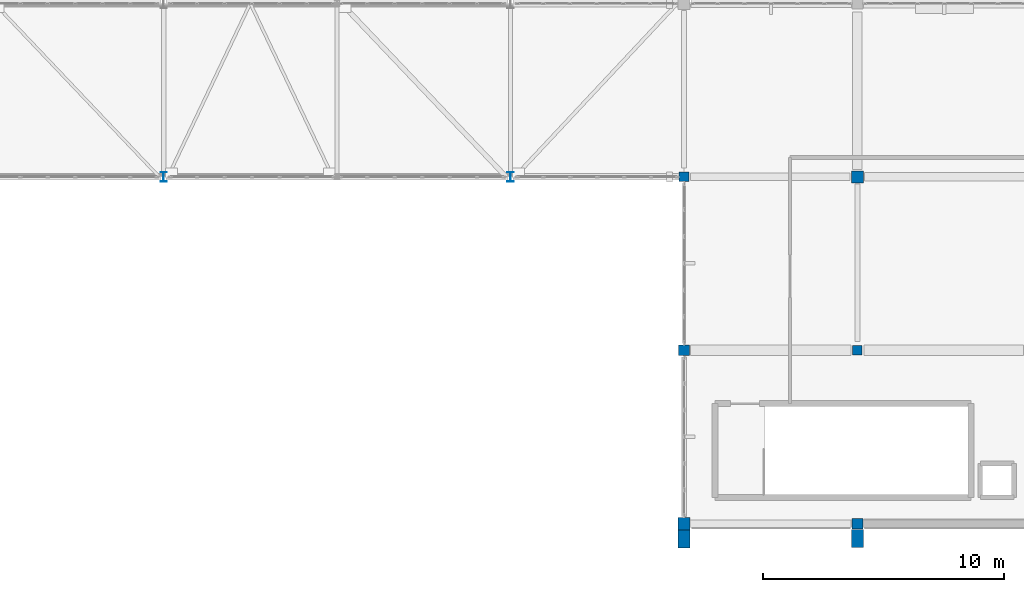
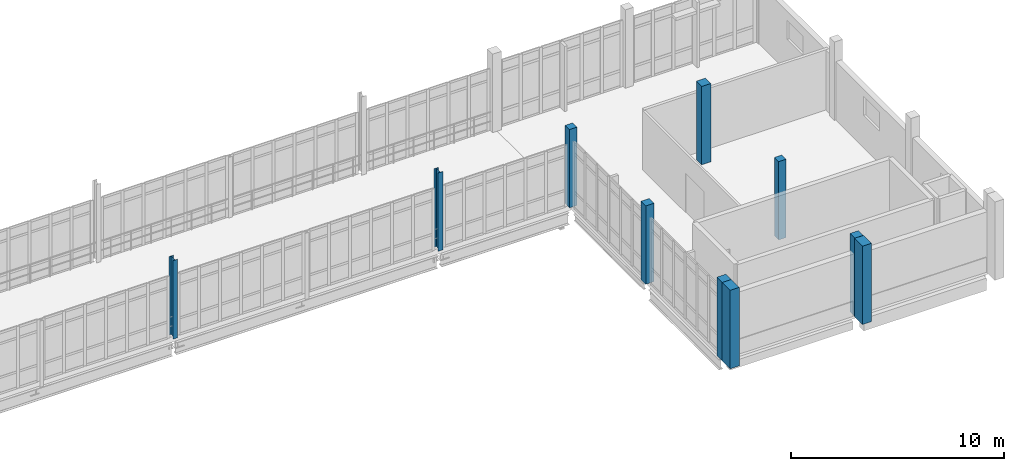
# One storey, part 4 of 116: 10 columns.
"""IFC4 building model written with IfcOpenShell, lengths in metres."""

import ifcopenshell
import ifcopenshell.guid

model = None  # the IFC model being written
_history = None  # IfcOwnerHistory: only IFC2X3 demands one
_inside = {}  # id of a spatial element -> (the spatial element, [elements in it])
_under = {}  # id of a project, library or spatial element -> (it, [spatial elements below it])
_declared = {}  # id of a project -> (the project, [libraries it declares])
_typed = {}  # id of a type object -> (the type object, [elements of that type])
_made_of = {}  # id of a material, layer set ... -> (it, [elements and type objects made of it])


def new_model(schema):
    """Start an empty IFC model of exactly this schema.

    Asked for "IFC4X3", IfcOpenShell would pick the latest addendum, in which some entities
    have other attributes; the version numbers below select the first issue.
    IFC2X3 requires an IfcOwnerHistory on every rooted entity: one is made here for all.
    """
    global model, _history
    if schema == "IFC4X3":
        model = ifcopenshell.file(schema_version=(4, 3, 0, 0))
    else:
        model = ifcopenshell.file(schema=schema)
    _inside.clear()
    _under.clear()
    _declared.clear()
    _typed.clear()
    _made_of.clear()
    _history = None
    if model.schema == "IFC2X3":
        org = make("IfcOrganization", Name="unknown")
        user = make(
            "IfcPersonAndOrganization",
            ThePerson=make("IfcPerson", FamilyName="unknown"),
            TheOrganization=org,
        )
        app = make(
            "IfcApplication",
            ApplicationDeveloper=org,
            Version="unknown",
            ApplicationFullName="unknown",
            ApplicationIdentifier="unknown",
        )
        _history = make(
            "IfcOwnerHistory",
            OwningUser=user,
            OwningApplication=app,
            ChangeAction="ADDED",
            CreationDate=0,
        )
    return model


def make(cls, **values):
    """One entity of the class cls with the attributes given. An attribute that is None is left unset."""
    return model.create_entity(
        cls, **{name: value for name, value in values.items() if value is not None}
    )


def rooted(cls, **values):
    """An entity with a GlobalId (a new one), such as an element, a storey or a relation."""
    return make(cls, GlobalId=ifcopenshell.guid.new(), OwnerHistory=_history, **values)


def si_unit(unit_type, name, prefix=None):
    """IfcSIUnit, for example si_unit("LENGTHUNIT", "METRE", prefix="MILLI")."""
    return make("IfcSIUnit", UnitType=unit_type, Prefix=prefix, Name=name)


def assignment(units):
    """IfcUnitAssignment: the units of a project."""
    return None if units is None else make("IfcUnitAssignment", Units=units)


def point(xyz):
    """IfcCartesianPoint."""
    return None if xyz is None else make("IfcCartesianPoint", Coordinates=xyz)


def direction(xyz):
    """IfcDirection."""
    return None if xyz is None else make("IfcDirection", DirectionRatios=xyz)


def frame(location, z_axis=None, x_axis=None):
    """IfcAxis2Placement3D, a coordinate frame: its origin and axes. An axis left out is left unset."""
    return make(
        "IfcAxis2Placement3D",
        Location=point(location),
        Axis=direction(z_axis),
        RefDirection=direction(x_axis),
    )


def frame_2d(location, x_axis=None):
    """IfcAxis2Placement2D, a coordinate frame in the plane: its origin and x axis."""
    return make(
        "IfcAxis2Placement2D", Location=point(location), RefDirection=direction(x_axis)
    )


def origin():
    """The frame at (0, 0, 0) with its axes left unset."""
    return frame((0.0, 0.0, 0.0))


def origin_2d():
    """The frame at (0, 0) in the plane with its x axis left unset."""
    return frame_2d((0.0, 0.0))


def place(relative_to, where):
    """IfcLocalPlacement: puts the frame where relative to a parent placement (None: the world)."""
    return make(
        "IfcLocalPlacement", PlacementRelTo=relative_to, RelativePlacement=where
    )


def context(
    kind, dimensions, precision=None, world=None, true_north=None, identifier=None
):
    """IfcGeometricRepresentationContext, for example the 3D "Model" context."""
    return make(
        "IfcGeometricRepresentationContext",
        ContextIdentifier=identifier,
        ContextType=kind,
        CoordinateSpaceDimension=dimensions,
        Precision=precision,
        WorldCoordinateSystem=world,
        TrueNorth=true_north,
    )


def subcontext(parent, identifier, kind, view, scale=None):
    """IfcGeometricRepresentationSubContext, for example "Body" below "Model"."""
    return make(
        "IfcGeometricRepresentationSubContext",
        ContextIdentifier=identifier,
        ContextType=kind,
        ParentContext=parent,
        TargetScale=scale,
        TargetView=view,
    )


def project(units=None, contexts=None):
    """IfcProject with its units and contexts."""
    return rooted(
        "IfcProject",
        Name="project",
        RepresentationContexts=contexts,
        UnitsInContext=assignment(units),
    )


def spatial(cls, under=None, at=None, **own):
    """A site, building, storey or space (cls), placed at a placement, below another one or the project."""
    s = rooted(cls, ObjectPlacement=at, **own)
    if under is not None:
        _under.setdefault(under.id(), (under, []))[1].append(s)
    return s


def profile(cls, at=None, kind="AREA", **sizes):
    """A parametric profile (cls). Its sizes go by their IFC names, for example OverallWidth=200.0."""
    return make(cls, ProfileType=kind, Position=at, **sizes)


def rectangle(**sizes):
    """IfcRectangleProfileDef."""
    return profile("IfcRectangleProfileDef", **sizes)


def i_section(**sizes):
    """IfcIShapeProfileDef."""
    return profile("IfcIShapeProfileDef", **sizes)


def extrude(swept, where, along, depth):
    """IfcExtrudedAreaSolid: the profile swept, set in the frame where, extruded along a direction by depth."""
    return make(
        "IfcExtrudedAreaSolid",
        SweptArea=swept,
        Position=where,
        ExtrudedDirection=direction(along),
        Depth=depth,
    )


def shape(context_of_items, identifier, shape_type, items):
    """IfcShapeRepresentation: the items that make up one representation, for example the "Body"."""
    return make(
        "IfcShapeRepresentation",
        ContextOfItems=context_of_items,
        RepresentationIdentifier=identifier,
        RepresentationType=shape_type,
        Items=items,
    )


def material(Name=None, Category=None):
    """IfcMaterial."""
    return make("IfcMaterial", Name=Name, Category=Category)


def material_profile(
    of_material, cross_section, Name=None, Category=None, Priority=None
):
    """IfcMaterialProfile: a cross section and its material."""
    return make(
        "IfcMaterialProfile",
        Name=Name,
        Material=of_material,
        Profile=cross_section,
        Priority=Priority,
        Category=Category,
    )


def profile_set(profiles, Name=None, composite=None):
    """IfcMaterialProfileSet."""
    return make(
        "IfcMaterialProfileSet",
        Name=Name,
        MaterialProfiles=profiles,
        CompositeProfile=composite,
    )


def made_of(thing, what):
    """Note that an element or type object is made of a material, layer set ...; save() writes the relation."""
    if what is not None:
        _made_of.setdefault(what.id(), (what, []))[1].append(thing)
    return thing


def type_object(cls, material=None, **own):
    """A type object (cls), such as IfcWallType, which elements share."""
    return made_of(rooted(cls, **own), material)


def element(
    cls,
    number,
    at=None,
    inside=None,
    cuts=None,
    type_object=None,
    material=None,
    context=None,
    identifier="Body",
    shape_type=None,
    held_by="IfcProductDefinitionShape",
    body=None,
    shapes=None,
    **own,
):
    """One element of the class cls, such as IfcWall. Its Tag is "e" and its number.

    at: its placement. inside: the storey or other place that contains it. cuts: it is an
    opening in that element (IfcRelVoidsElement). A single representation is given by context,
    identifier, shape_type and body (its items); several are given by shapes. held_by: the class
    of the entity that holds the representations. save() writes the other relations.
    """
    e = rooted(cls, Tag="e%d" % number, ObjectPlacement=at, **own)
    if body is not None:
        shapes = [shape(context, identifier, shape_type, body)]
    if shapes is not None:
        e.Representation = make(held_by, Representations=shapes)
    if inside is not None:
        _inside.setdefault(inside.id(), (inside, []))[1].append(e)
    if cuts is not None:
        rooted(
            "IfcRelVoidsElement", RelatingBuildingElement=cuts, RelatedOpeningElement=e
        )
    if type_object is not None:
        _typed.setdefault(type_object.id(), (type_object, []))[1].append(e)
    return made_of(e, material)


def aggregate(whole, parts):
    """IfcRelAggregates: a whole, such as a stair, and the parts it consists of."""
    return rooted("IfcRelAggregates", RelatingObject=whole, RelatedObjects=parts)


def save(model, path):
    """Write the relations noted so far, then the file.

    IfcRelAggregates (storeys below a building ...), IfcRelContainedInSpatialStructure (elements
    in a storey), IfcRelDefinesByType, IfcRelAssociatesMaterial and IfcRelDeclares: one each for
    every whole, place, type object, material and project.
    """
    for whole, parts in _under.values():
        aggregate(whole, parts)
    for where, things in _inside.values():
        rooted(
            "IfcRelContainedInSpatialStructure",
            RelatedElements=things,
            RelatingStructure=where,
        )
    for kind, things in _typed.values():
        rooted("IfcRelDefinesByType", RelatedObjects=things, RelatingType=kind)
    for what, things in _made_of.values():
        rooted("IfcRelAssociatesMaterial", RelatedObjects=things, RelatingMaterial=what)
    for by, libraries in _declared.values():
        rooted("IfcRelDeclares", RelatingContext=by, RelatedDefinitions=libraries)
    model.write(path)


model = new_model("IFC4")

# Units and contexts
model_context = context("Model", 3, precision=1e-05, world=origin(), true_north=direction((0.0, 1.0)))
body_context = subcontext(model_context, "Body", "Model", "MODEL_VIEW")
ifc_project = project(units=[si_unit("LENGTHUNIT", "METRE"), si_unit("AREAUNIT", "SQUARE_METRE"), si_unit("VOLUMEUNIT", "CUBIC_METRE"), si_unit("PLANEANGLEUNIT", "RADIAN"), si_unit("MASSUNIT", "GRAM", prefix="KILO")], contexts=[model_context])

# Site, building, storey
site_placement = place(None, origin())
site = spatial("IfcSite", under=ifc_project, at=site_placement, CompositionType="ELEMENT")
building_placement = place(site_placement, origin())
building = spatial("IfcBuilding", under=site, at=building_placement, Name="Kalluvel Institute of Natural Sciences", CompositionType="ELEMENT")
storey_placement = place(building_placement, frame((0.0, 0.0, 14.39990234375)))
storey = spatial("IfcBuildingStorey", under=building, at=storey_placement, Name="L03", CompositionType="ELEMENT", Elevation=14.39990234375)

# Columns
ifc_material_1 = material(Name="Steel E350 Grade 350", Category="steel")
ifc_material_profile_1 = material_profile(ifc_material_1, i_section(OverallWidth=0.25, OverallDepth=0.39990234375, WebThickness=0.010498046875, FlangeThickness=0.0126953125, FilletRadius=0.013916015625, at=origin_2d()), Name="ISHB 400")
ifc_profile_set_1 = profile_set([ifc_material_profile_1], Name="Steel E350 Grade 350")
column_type_1 = type_object("IfcColumnType", Name="COL-ISHB400", PredefinedType="COLUMN", material=ifc_profile_set_1)
for number, where, z_axis, x_axis, name in (
    (1, (78.800048828125, 28.39990234375, 0.0), (0.0, 0.0, 1.0), (1.0, 0.0, 0.0), "L03 structural column COL-L03-X788-Y284"),
    (2, (93.199951171875, 28.39990234375, 0.0), (0.0, 0.0, 1.0), (1.0, 0.0, 0.0), "L03 structural column COL-L03-X932-Y284"),
):
    element("IfcColumn", number, at=place(storey_placement, frame(where, z_axis=z_axis, x_axis=x_axis)), inside=storey, type_object=column_type_1, Name=name, PredefinedType="COLUMN", context=body_context, shape_type="SweptSolid", body=[
        extrude(i_section(OverallWidth=0.25, OverallDepth=0.39990234375, WebThickness=0.010498046875, FlangeThickness=0.0126953125, FilletRadius=0.013916015625, at=origin_2d()), origin(), (0.0, 0.0, 1.0), 4.5),
    ])
ifc_material_2 = material(Name="Concrete M40", Category="concrete")
ifc_material_profile_2 = material_profile(ifc_material_2, rectangle(XDim=0.39990234375, YDim=0.39990234375, at=origin_2d()), Name="RC 400x400")
ifc_profile_set_2 = profile_set([ifc_material_profile_2], Name="Concrete M40")
column_type_2 = type_object("IfcColumnType", Name="COL-RC400", PredefinedType="COLUMN", material=ifc_profile_set_2)
for number, where, z_axis, x_axis, name in (
    (3, (100.39990234375, 28.39990234375, 0.0), (0.0, 0.0, 1.0), (1.0, 0.0, 0.0), "L03 structural column COL-L03-X1004-Y284"),
    (4, (107.60009765625, 21.199951171875, 0.0), (0.0, 0.0, 1.0), (1.0, 0.0, 0.0), "L03 structural column COL-L03-X1076-Y212"),
):
    element("IfcColumn", number, at=place(storey_placement, frame(where, z_axis=z_axis, x_axis=x_axis)), inside=storey, type_object=column_type_2, Name=name, PredefinedType="COLUMN", context=body_context, shape_type="SweptSolid", body=[
        extrude(rectangle(XDim=0.39990234375, YDim=0.39990234375, at=origin_2d()), origin(), (0.0, 0.0, 1.0), 4.5),
    ])
ifc_material_profile_3 = material_profile(ifc_material_2, rectangle(XDim=0.449951171875, YDim=0.449951171875, at=origin_2d()), Name="RC 450x450")
ifc_profile_set_3 = profile_set([ifc_material_profile_3], Name="Concrete M40")
column_type_3 = type_object("IfcColumnType", Name="COL-RC450", PredefinedType="COLUMN", material=ifc_profile_set_3)
for number, where, z_axis, x_axis, name in (
    (5, (100.39990234375, 21.199951171875, 0.0), (0.0, 0.0, 1.0), (1.0, 0.0, 0.0), "L03 structural column COL-L03-X1004-Y212"),
    (6, (107.60009765625, 14.0, 0.0), (0.0, 0.0, 1.0), (1.0, 0.0, 0.0), "L03 structural column COL-L03-X1076-Y140"),
):
    element("IfcColumn", number, at=place(storey_placement, frame(where, z_axis=z_axis, x_axis=x_axis)), inside=storey, type_object=column_type_3, Name=name, PredefinedType="COLUMN", context=body_context, shape_type="SweptSolid", body=[
        extrude(rectangle(XDim=0.449951171875, YDim=0.449951171875, at=origin_2d()), origin(), (0.0, 0.0, 1.0), 4.5),
    ])
ifc_material_profile_4 = material_profile(ifc_material_2, rectangle(XDim=0.5, YDim=0.5, at=origin_2d()), Name="RC 500x500")
ifc_profile_set_4 = profile_set([ifc_material_profile_4], Name="Concrete M40")
column_type_4 = type_object("IfcColumnType", Name="COL-RC500", PredefinedType="COLUMN", material=ifc_profile_set_4)
for number, where, z_axis, x_axis, name in (
    (7, (100.39990234375, 14.0, 0.0), (0.0, 0.0, 1.0), (1.0, 0.0, 0.0), "L03 structural column COL-L03-X1004-Y140"),
    (8, (107.60009765625, 28.39990234375, 0.0), (0.0, 0.0, 1.0), (1.0, 0.0, 0.0), "L03 structural column COL-L03-X1076-Y284"),
):
    element("IfcColumn", number, at=place(storey_placement, frame(where, z_axis=z_axis, x_axis=x_axis)), inside=storey, type_object=column_type_4, Name=name, PredefinedType="COLUMN", context=body_context, shape_type="SweptSolid", body=[
        extrude(rectangle(XDim=0.5, YDim=0.5, at=origin_2d()), origin(), (0.0, 0.0, 1.0), 4.5),
    ])
ifc_material_3 = material(Name="Sadarahalli Granite Precast Concrete M45", Category="masonry")
ifc_material_profile_5 = material_profile(ifc_material_3, rectangle(XDim=0.5, YDim=0.75, at=origin_2d()), Name="PIL 500x750")
ifc_profile_set_5 = profile_set([ifc_material_profile_5], Name="Sadarahalli Granite Precast Concrete M45")
column_type_5 = type_object("IfcColumnType", Name="PIL-500x750", PredefinedType="PILASTER", material=ifc_profile_set_5)
for number, where, z_axis, x_axis, name in (
    (9, (100.39990234375, 13.3720703125, 0.0), (0.0, 0.0, 1.0), (1.0, 0.0, 0.0), "L03 Lecture and Commons Gothic stone buttress 137"),
    (10, (107.60009765625, 13.39697265625, 0.0), (0.0, 0.0, 1.0), (1.0, 0.0, 0.0), "L03 Lecture and Commons Gothic stone buttress 142"),
):
    element("IfcColumn", number, at=place(storey_placement, frame(where, z_axis=z_axis, x_axis=x_axis)), inside=storey, type_object=column_type_5, Name=name, PredefinedType="PILASTER", context=body_context, shape_type="SweptSolid", body=[
        extrude(rectangle(XDim=0.5, YDim=0.75, at=origin_2d()), origin(), (0.0, 0.0, 1.0), 4.5),
    ])

save(model, "model.ifc")
